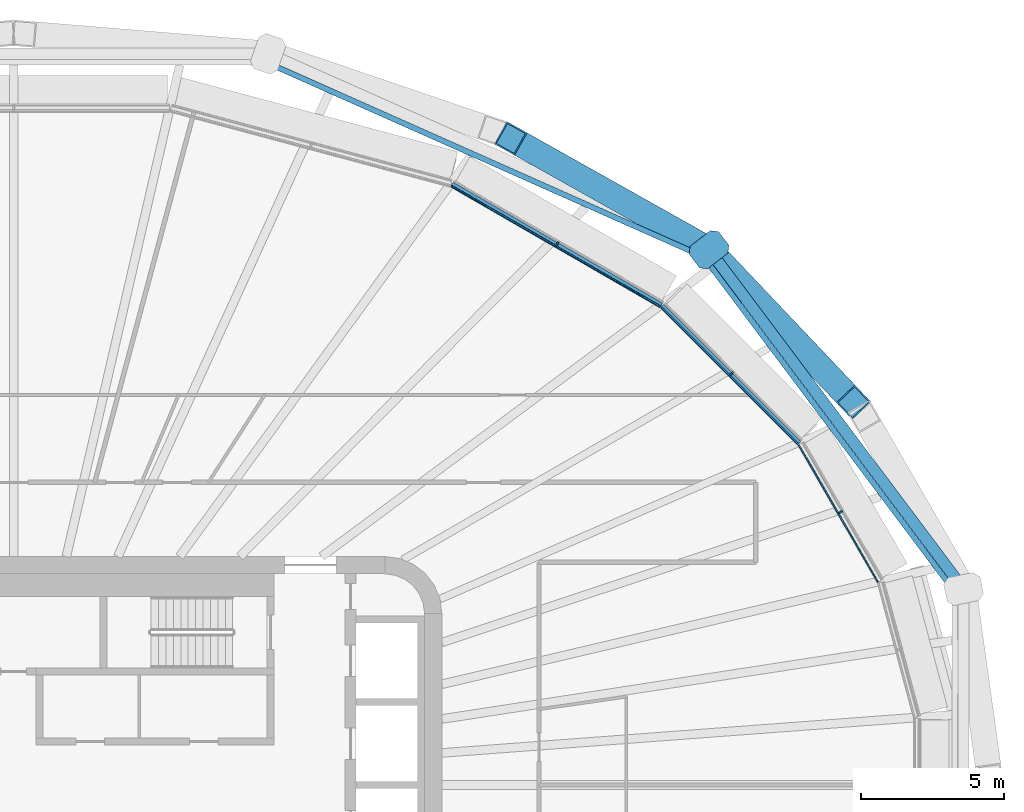
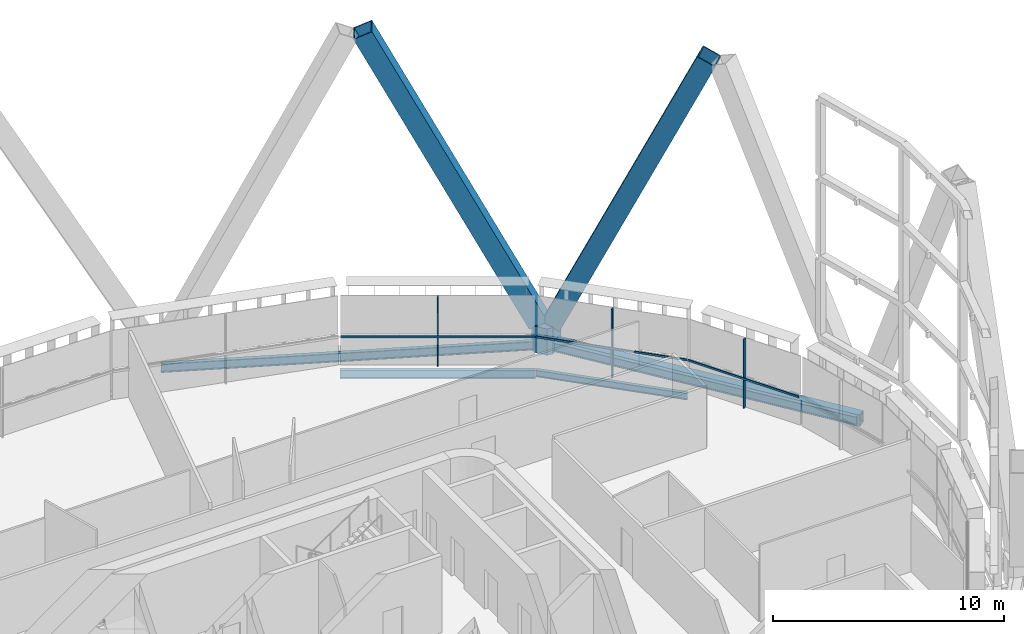
# One storey, part 10 of 26: 9 members, 5 beams, 3 elements without a shape of their own.
"""IFC4 building model written with IfcOpenShell, lengths in metres."""

import ifcopenshell
import ifcopenshell.guid

model = None  # the IFC model being written
_history = None  # IfcOwnerHistory: only IFC2X3 demands one
_inside = {}  # id of a spatial element -> (the spatial element, [elements in it])
_under = {}  # id of a project, library or spatial element -> (it, [spatial elements below it])
_declared = {}  # id of a project -> (the project, [libraries it declares])
_typed = {}  # id of a type object -> (the type object, [elements of that type])
_made_of = {}  # id of a material, layer set ... -> (it, [elements and type objects made of it])


def new_model(schema):
    """Start an empty IFC model of exactly this schema.

    Asked for "IFC4X3", IfcOpenShell would pick the latest addendum, in which some entities
    have other attributes; the version numbers below select the first issue.
    IFC2X3 requires an IfcOwnerHistory on every rooted entity: one is made here for all.
    """
    global model, _history
    if schema == "IFC4X3":
        model = ifcopenshell.file(schema_version=(4, 3, 0, 0))
    else:
        model = ifcopenshell.file(schema=schema)
    _inside.clear()
    _under.clear()
    _declared.clear()
    _typed.clear()
    _made_of.clear()
    _history = None
    if model.schema == "IFC2X3":
        org = make("IfcOrganization", Name="unknown")
        user = make(
            "IfcPersonAndOrganization",
            ThePerson=make("IfcPerson", FamilyName="unknown"),
            TheOrganization=org,
        )
        app = make(
            "IfcApplication",
            ApplicationDeveloper=org,
            Version="unknown",
            ApplicationFullName="unknown",
            ApplicationIdentifier="unknown",
        )
        _history = make(
            "IfcOwnerHistory",
            OwningUser=user,
            OwningApplication=app,
            ChangeAction="ADDED",
            CreationDate=0,
        )
    return model


def make(cls, **values):
    """One entity of the class cls with the attributes given. An attribute that is None is left unset."""
    return model.create_entity(
        cls, **{name: value for name, value in values.items() if value is not None}
    )


def rooted(cls, **values):
    """An entity with a GlobalId (a new one), such as an element, a storey or a relation."""
    return make(cls, GlobalId=ifcopenshell.guid.new(), OwnerHistory=_history, **values)


def si_unit(unit_type, name, prefix=None):
    """IfcSIUnit, for example si_unit("LENGTHUNIT", "METRE", prefix="MILLI")."""
    return make("IfcSIUnit", UnitType=unit_type, Prefix=prefix, Name=name)


def assignment(units):
    """IfcUnitAssignment: the units of a project."""
    return None if units is None else make("IfcUnitAssignment", Units=units)


def point(xyz):
    """IfcCartesianPoint."""
    return None if xyz is None else make("IfcCartesianPoint", Coordinates=xyz)


def direction(xyz):
    """IfcDirection."""
    return None if xyz is None else make("IfcDirection", DirectionRatios=xyz)


def frame(location, z_axis=None, x_axis=None):
    """IfcAxis2Placement3D, a coordinate frame: its origin and axes. An axis left out is left unset."""
    return make(
        "IfcAxis2Placement3D",
        Location=point(location),
        Axis=direction(z_axis),
        RefDirection=direction(x_axis),
    )


def frame_2d(location, x_axis=None):
    """IfcAxis2Placement2D, a coordinate frame in the plane: its origin and x axis."""
    return make(
        "IfcAxis2Placement2D", Location=point(location), RefDirection=direction(x_axis)
    )


def origin():
    """The frame at (0, 0, 0) with its axes left unset."""
    return frame((0.0, 0.0, 0.0))


def origin_2d():
    """The frame at (0, 0) in the plane with its x axis left unset."""
    return frame_2d((0.0, 0.0))


def place(relative_to, where):
    """IfcLocalPlacement: puts the frame where relative to a parent placement (None: the world)."""
    return make(
        "IfcLocalPlacement", PlacementRelTo=relative_to, RelativePlacement=where
    )


def context(
    kind, dimensions, precision=None, world=None, true_north=None, identifier=None
):
    """IfcGeometricRepresentationContext, for example the 3D "Model" context."""
    return make(
        "IfcGeometricRepresentationContext",
        ContextIdentifier=identifier,
        ContextType=kind,
        CoordinateSpaceDimension=dimensions,
        Precision=precision,
        WorldCoordinateSystem=world,
        TrueNorth=true_north,
    )


def subcontext(parent, identifier, kind, view, scale=None):
    """IfcGeometricRepresentationSubContext, for example "Body" below "Model"."""
    return make(
        "IfcGeometricRepresentationSubContext",
        ContextIdentifier=identifier,
        ContextType=kind,
        ParentContext=parent,
        TargetScale=scale,
        TargetView=view,
    )


def project(units=None, contexts=None):
    """IfcProject with its units and contexts."""
    return rooted(
        "IfcProject",
        Name="project",
        RepresentationContexts=contexts,
        UnitsInContext=assignment(units),
    )


def spatial(cls, under=None, at=None, **own):
    """A site, building, storey or space (cls), placed at a placement, below another one or the project."""
    s = rooted(cls, ObjectPlacement=at, **own)
    if under is not None:
        _under.setdefault(under.id(), (under, []))[1].append(s)
    return s


def polyline(points):
    """IfcPolyline through the points."""
    return make("IfcPolyline", Points=[point(p) for p in points])


def profile(cls, at=None, kind="AREA", **sizes):
    """A parametric profile (cls). Its sizes go by their IFC names, for example OverallWidth=200.0."""
    return make(cls, ProfileType=kind, Position=at, **sizes)


def rectangle(**sizes):
    """IfcRectangleProfileDef."""
    return profile("IfcRectangleProfileDef", **sizes)


def hollow_rectangle(**sizes):
    """IfcRectangleHollowProfileDef."""
    return profile("IfcRectangleHollowProfileDef", **sizes)


def i_section(**sizes):
    """IfcIShapeProfileDef."""
    return profile("IfcIShapeProfileDef", **sizes)


def outline(outer, holes=None, kind="AREA"):
    """IfcArbitraryClosedProfileDef: a profile drawn as a closed curve; with holes, ...WithVoids."""
    if holes is None:
        return make("IfcArbitraryClosedProfileDef", ProfileType=kind, OuterCurve=outer)
    return make(
        "IfcArbitraryProfileDefWithVoids",
        ProfileType=kind,
        OuterCurve=outer,
        InnerCurves=holes,
    )


def extrude(swept, where, along, depth):
    """IfcExtrudedAreaSolid: the profile swept, set in the frame where, extruded along a direction by depth."""
    return make(
        "IfcExtrudedAreaSolid",
        SweptArea=swept,
        Position=where,
        ExtrudedDirection=direction(along),
        Depth=depth,
    )


def shape(context_of_items, identifier, shape_type, items):
    """IfcShapeRepresentation: the items that make up one representation, for example the "Body"."""
    return make(
        "IfcShapeRepresentation",
        ContextOfItems=context_of_items,
        RepresentationIdentifier=identifier,
        RepresentationType=shape_type,
        Items=items,
    )


def material(Name=None, Category=None):
    """IfcMaterial."""
    return make("IfcMaterial", Name=Name, Category=Category)


def layer(
    of_material, thickness, ventilated=None, Name=None, Category=None, Priority=None
):
    """IfcMaterialLayer: one layer of a wall or slab, of a material (None: an air gap)."""
    return make(
        "IfcMaterialLayer",
        Material=of_material,
        LayerThickness=thickness,
        IsVentilated=ventilated,
        Name=Name,
        Category=Category,
        Priority=Priority,
    )


def layer_set(layers, Name=None):
    """IfcMaterialLayerSet."""
    return make("IfcMaterialLayerSet", MaterialLayers=layers, LayerSetName=Name)


def material_profile(
    of_material, cross_section, Name=None, Category=None, Priority=None
):
    """IfcMaterialProfile: a cross section and its material."""
    return make(
        "IfcMaterialProfile",
        Name=Name,
        Material=of_material,
        Profile=cross_section,
        Priority=Priority,
        Category=Category,
    )


def profile_set(profiles, Name=None, composite=None):
    """IfcMaterialProfileSet."""
    return make(
        "IfcMaterialProfileSet",
        Name=Name,
        MaterialProfiles=profiles,
        CompositeProfile=composite,
    )


def made_of(thing, what):
    """Note that an element or type object is made of a material, layer set ...; save() writes the relation."""
    if what is not None:
        _made_of.setdefault(what.id(), (what, []))[1].append(thing)
    return thing


def type_object(cls, material=None, **own):
    """A type object (cls), such as IfcWallType, which elements share."""
    return made_of(rooted(cls, **own), material)


def element(
    cls,
    number,
    at=None,
    inside=None,
    cuts=None,
    type_object=None,
    material=None,
    context=None,
    identifier="Body",
    shape_type=None,
    held_by="IfcProductDefinitionShape",
    body=None,
    shapes=None,
    **own,
):
    """One element of the class cls, such as IfcWall. Its Tag is "e" and its number.

    at: its placement. inside: the storey or other place that contains it. cuts: it is an
    opening in that element (IfcRelVoidsElement). A single representation is given by context,
    identifier, shape_type and body (its items); several are given by shapes. held_by: the class
    of the entity that holds the representations. save() writes the other relations.
    """
    e = rooted(cls, Tag="e%d" % number, ObjectPlacement=at, **own)
    if body is not None:
        shapes = [shape(context, identifier, shape_type, body)]
    if shapes is not None:
        e.Representation = make(held_by, Representations=shapes)
    if inside is not None:
        _inside.setdefault(inside.id(), (inside, []))[1].append(e)
    if cuts is not None:
        rooted(
            "IfcRelVoidsElement", RelatingBuildingElement=cuts, RelatedOpeningElement=e
        )
    if type_object is not None:
        _typed.setdefault(type_object.id(), (type_object, []))[1].append(e)
    return made_of(e, material)


def aggregate(whole, parts):
    """IfcRelAggregates: a whole, such as a stair, and the parts it consists of."""
    return rooted("IfcRelAggregates", RelatingObject=whole, RelatedObjects=parts)


def save(model, path):
    """Write the relations noted so far, then the file.

    IfcRelAggregates (storeys below a building ...), IfcRelContainedInSpatialStructure (elements
    in a storey), IfcRelDefinesByType, IfcRelAssociatesMaterial and IfcRelDeclares: one each for
    every whole, place, type object, material and project.
    """
    for whole, parts in _under.values():
        aggregate(whole, parts)
    for where, things in _inside.values():
        rooted(
            "IfcRelContainedInSpatialStructure",
            RelatedElements=things,
            RelatingStructure=where,
        )
    for kind, things in _typed.values():
        rooted("IfcRelDefinesByType", RelatedObjects=things, RelatingType=kind)
    for what, things in _made_of.values():
        rooted("IfcRelAssociatesMaterial", RelatedObjects=things, RelatingMaterial=what)
    for by, libraries in _declared.values():
        rooted("IfcRelDeclares", RelatingContext=by, RelatedDefinitions=libraries)
    model.write(path)


model = new_model("IFC4")

# Units and contexts
model_context = context("Model", 3, precision=1e-05, world=origin(), true_north=direction((0.0, 1.0)))
body_context = subcontext(model_context, "Body", "Model", "MODEL_VIEW")
ifc_project = project(units=[si_unit("LENGTHUNIT", "METRE"), si_unit("AREAUNIT", "SQUARE_METRE"), si_unit("VOLUMEUNIT", "CUBIC_METRE"), si_unit("PLANEANGLEUNIT", "RADIAN"), si_unit("MASSUNIT", "GRAM", prefix="KILO")], contexts=[model_context])

# Site, building, storey
site_placement = place(None, origin())
site = spatial("IfcSite", under=ifc_project, at=site_placement, CompositionType="ELEMENT")
building_placement = place(site_placement, origin())
building = spatial("IfcBuilding", under=site, at=building_placement, Name="Sahrelin Media Tower", CompositionType="ELEMENT")
storey_placement = place(building_placement, frame((0.0, 0.0, 131.39990234375)))
storey = spatial("IfcBuildingStorey", under=building, at=storey_placement, Name="L26", CompositionType="ELEMENT", Elevation=131.39990234375)

# Members
ifc_material_1 = material(Name="Steel S460", Category="steel")
ifc_material_profile_1 = material_profile(ifc_material_1, hollow_rectangle(XDim=0.89990234375, YDim=0.89990234375, WallThickness=0.050048828125, at=origin_2d()), Name="Diagrid diagonal DG3")
ifc_profile_set_1 = profile_set([ifc_material_profile_1], Name="Steel S460")
member_type_1 = type_object("IfcMemberType", Name="Diagrid diagonal DG3", PredefinedType="BRACE", material=ifc_profile_set_1)
member_1_placement = place(storey_placement, frame((24.57861328125, 18.516357421875, 0.7001953125), z_axis=(0.28605931744, -0.301832156171, 0.909432469404), x_axis=(0.725816925238, 0.687887920404, 0.0)))
element("IfcMember", 1, at=member_1_placement, inside=storey, type_object=member_type_1, Name="Diagrid diagonal D05-02", PredefinedType="BRACE", context=body_context, shape_type="SweptSolid", body=[
    extrude(hollow_rectangle(XDim=0.89990234375, YDim=0.89990234375, WallThickness=0.050048828125, at=origin_2d()), origin(), (0.0, 0.0, 1.0), 16.93359375),
])
member_2_placement = place(storey_placement, frame((24.056640625, 18.918212890625, 0.7001953125), z_axis=(-0.386530667457, 0.217011390542, 0.896381670657), x_axis=(-0.489554855543, -0.871972501524, 0.0)))
element("IfcMember", 2, at=member_2_placement, inside=storey, type_object=member_type_1, Name="Diagrid diagonal D05-03", PredefinedType="BRACE", context=body_context, shape_type="SweptSolid", body=[
    extrude(hollow_rectangle(XDim=0.89990234375, YDim=0.89990234375, WallThickness=0.050048828125, at=origin_2d()), origin(), (0.0, 0.0, 1.0), 17.18017578125),
])
ifc_material_profile_2 = material_profile(ifc_material_1, outline(polyline([(0.449951171875, -0.5), (0.64990234375, -0.300048828125), (0.64990234375, 0.300048828125), (0.449951171875, 0.5), (-0.449951171875, 0.5), (-0.64990234375, 0.300048828125), (-0.64990234375, -0.300048828125), (-0.449951171875, -0.5), (0.449951171875, -0.5)])), Name="Diagrid node block 1300")
ifc_profile_set_2 = profile_set([ifc_material_profile_2], Name="Steel S460")
member_type_2 = type_object("IfcMemberType", Name="Diagrid node block 1300", PredefinedType="USERDEFINED", material=ifc_profile_set_2)
member_3_placement = place(storey_placement, frame((24.3583984375, 18.748779296875, -0.699951171875), z_axis=(0.0, 0.0, 1.0), x_axis=(0.792445093645, 0.609943254376, 0.0)))
element("IfcMember", 3, at=member_3_placement, inside=storey, type_object=member_type_2, Name="Diagrid node N05-01", ObjectType="NODE", PredefinedType="USERDEFINED", context=body_context, shape_type="SweptSolid", body=[
    extrude(outline(polyline([(0.449951171875, -0.5), (0.64990234375, -0.300048828125), (0.64990234375, 0.300048828125), (0.449951171875, 0.5), (-0.449951171875, 0.5), (-0.64990234375, 0.300048828125), (-0.64990234375, -0.300048828125), (-0.449951171875, -0.5), (0.449951171875, -0.5)])), origin(), (0.0, 0.0, 1.0), 1.400146484375),
])

# Beams
ifc_material_profile_3 = material_profile(ifc_material_1, hollow_rectangle(XDim=0.39990234375, YDim=0.60009765625, WallThickness=0.030029296875, at=origin_2d()), Name="Diagrid ring beam RB1")
ifc_profile_set_3 = profile_set([ifc_material_profile_3], Name="Steel S460")
beam_type_1 = type_object("IfcBeamType", Name="Diagrid ring beam RB1", PredefinedType="BEAM", material=ifc_profile_set_3)
beam_1_placement = place(storey_placement, frame((33.2744140625, 6.862548828125, -0.449951171875), z_axis=(-0.600057835332, 0.799956620234, 0.0), x_axis=(-0.799956620234, -0.600057835332, 0.0)))
element("IfcBeam", 4, at=beam_1_placement, inside=storey, type_object=beam_type_1, Name="Diagrid ring beam RB05-00", PredefinedType="BEAM", context=body_context, shape_type="SweptSolid", body=[
    extrude(hollow_rectangle(XDim=0.39990234375, YDim=0.60009765625, WallThickness=0.030029296875, at=origin_2d()), origin(), (0.0, 0.0, 1.0), 14.858642578125),
])
ifc_material_2 = material(Name="Steel S355", Category="steel")
ifc_material_profile_4 = material_profile(ifc_material_2, i_section(OverallWidth=0.17138671875, OverallDepth=0.35498046875, WebThickness=0.00732421875, FlangeThickness=0.011474609375, FilletRadius=0.01025390625, at=origin_2d()), Name="UB 356x171x51")
ifc_profile_set_4 = profile_set([ifc_material_profile_4], Name="Steel S355")
beam_type_2 = type_object("IfcBeamType", Name="Edge beam EB3", PredefinedType="BEAM", material=ifc_profile_set_4)
beam_2_placement = place(storey_placement, frame((22.711181640625, 16.772216796875, -0.327392578125), z_axis=(0.707106781187, -0.707106781187, 0.0), x_axis=(0.707106781187, 0.707106781187, 0.0)))
element("IfcBeam", 5, at=beam_2_placement, inside=storey, type_object=beam_type_2, Name="Edge beam L26-22", PredefinedType="BEAM", context=body_context, shape_type="SweptSolid", body=[
    extrude(i_section(OverallWidth=0.17138671875, OverallDepth=0.35498046875, WebThickness=0.00732421875, FlangeThickness=0.011474609375, FilletRadius=0.01025390625, at=origin_2d()), origin(), (0.0, 0.0, 1.0), 6.789794921875),
])
ifc_material_profile_5 = material_profile(ifc_material_2, i_section(OverallWidth=0.1904296875, OverallDepth=0.45703125, WebThickness=0.009033203125, FlangeThickness=0.014404296875, FilletRadius=0.01025390625, at=origin_2d()), Name="UB 457x191x74")
ifc_profile_set_5 = profile_set([ifc_material_profile_5], Name="Steel S355")
beam_type_3 = type_object("IfcBeamType", Name="Edge beam EB5", PredefinedType="BEAM", material=ifc_profile_set_5)
beam_3_placement = place(storey_placement, frame((15.345703125, 21.029296875, -0.37841796875), z_axis=(0.866017756825, -0.500013244689, 0.0), x_axis=(0.500013244689, 0.866017756825, 0.0)))
element("IfcBeam", 6, at=beam_3_placement, inside=storey, type_object=beam_type_3, Name="Edge beam L26-21", PredefinedType="BEAM", context=body_context, shape_type="SweptSolid", body=[
    extrude(i_section(OverallWidth=0.1904296875, OverallDepth=0.45703125, WebThickness=0.009033203125, FlangeThickness=0.014404296875, FilletRadius=0.01025390625, at=origin_2d()), origin(), (0.0, 0.0, 1.0), 8.478759765625),
])

# Curtain wall, member
ifc_material_3 = material(Name="Champagne anodised aluminium 6063-T6", Category="aluminium")
ifc_layer = layer(ifc_material_3, 0.14990234375)
ifc_layer_set = layer_set([ifc_layer], Name="Tower ribbon curtain wall")
curtain_wall_type = type_object("IfcCurtainWallType", Name="Tower ribbon curtain wall", PredefinedType="NOTDEFINED", material=ifc_layer_set)
curtain_wall_1_placement = place(storey_placement, frame((29.053955078125, 9.608642578125, 0.0), z_axis=(0.0, 0.0, 1.0), x_axis=(1.0, 0.0, 0.0)))
curtain_wall_1 = element("IfcCurtainWall", 7, at=curtain_wall_1_placement, inside=storey, type_object=curtain_wall_type, Name="L26:CW:L26-02", PredefinedType="NOTDEFINED")
ifc_material_profile_6 = material_profile(ifc_material_3, rectangle(XDim=0.06005859375, YDim=0.14990234375, at=origin_2d()), Name="Mullion 60x150")
ifc_profile_set_6 = profile_set([ifc_material_profile_6], Name="Champagne anodised aluminium 6063-T6")
member_type_3 = type_object("IfcMemberType", Name="Mullion 60x150 CW1", PredefinedType="MULLION", material=ifc_profile_set_6)
member_4_placement = place(storey_placement, frame((28.9716796875, 9.56103515625, 0.0), z_axis=(0.0, 0.0, 1.0), x_axis=(-0.500006045986, 0.866021913105, 0.0)))
member_4 = element("IfcMember", 8, at=member_4_placement, type_object=member_type_3, Name="L26:CWM:L26-02", PredefinedType="MULLION", context=body_context, shape_type="SweptSolid", body=[
    extrude(rectangle(XDim=0.06005859375, YDim=0.14990234375, at=origin_2d()), origin(), (0.0, 0.0, 1.0), 3.648681640625),
])

curtain_wall_2_placement = place(storey_placement, frame((25.2177734375, 14.477783203125, 0.0), z_axis=(0.0, 0.0, 1.0), x_axis=(1.0, 0.0, 0.0)))
curtain_wall_2 = element("IfcCurtainWall", 9, at=curtain_wall_2_placement, inside=storey, type_object=curtain_wall_type, Name="L26:CW:L26-03", PredefinedType="NOTDEFINED")
member_5_placement = place(storey_placement, frame((25.150634765625, 14.41064453125, 0.0), z_axis=(0.0, 0.0, 1.0), x_axis=(-0.707099376343, 0.707114185953, 0.0)))
member_5 = element("IfcMember", 10, at=member_5_placement, type_object=member_type_3, Name="L26:CWM:L26-03", PredefinedType="MULLION", context=body_context, shape_type="SweptSolid", body=[
    extrude(rectangle(XDim=0.06005859375, YDim=0.14990234375, at=origin_2d()), origin(), (0.0, 0.0, 1.0), 3.648681640625),
])

curtain_wall_3_placement = place(storey_placement, frame((19.092041015625, 19.039306640625, 0.0), z_axis=(0.0, 0.0, 1.0), x_axis=(1.0, 0.0, 0.0)))
curtain_wall_3 = element("IfcCurtainWall", 11, at=curtain_wall_3_placement, inside=storey, type_object=curtain_wall_type, Name="L26:CW:L26-04", PredefinedType="NOTDEFINED")
member_6_placement = place(storey_placement, frame((19.04443359375, 18.95703125, 0.0), z_axis=(0.0, 0.0, 1.0), x_axis=(-0.866028894422, 0.49999395399, 0.0)))
member_6 = element("IfcMember", 12, at=member_6_placement, type_object=member_type_3, Name="L26:CWM:L26-04", PredefinedType="MULLION", context=body_context, shape_type="SweptSolid", body=[
    extrude(rectangle(XDim=0.06005859375, YDim=0.14990234375, at=origin_2d()), origin(), (0.0, 0.0, 1.0), 3.648681640625),
])

# Beams
ifc_material_profile_7 = material_profile(ifc_material_2, i_section(OverallWidth=0.1904296875, OverallDepth=0.45703125, WebThickness=0.009033203125, FlangeThickness=0.014404296875, FilletRadius=0.01025390625, at=origin_2d()), Name="UB 457x191x74")
ifc_profile_set_7 = profile_set([ifc_material_profile_7], Name="Steel S355")
beam_type_4 = type_object("IfcBeamType", Name="Tie chord TC5", PredefinedType="BEAM", material=ifc_profile_set_7)
beam_4_placement = place(storey_placement, frame((8.85205078125, 25.31103515625, -0.37841796875), z_axis=(0.913832575306, -0.406091152711, 0.0), x_axis=(0.406091152711, 0.913832575306, 0.0)))
element("IfcBeam", 13, at=beam_4_placement, inside=storey, type_object=beam_type_4, Name="Tie chord L26-11", PredefinedType="BEAM", context=body_context, shape_type="SweptSolid", body=[
    extrude(i_section(OverallWidth=0.1904296875, OverallDepth=0.45703125, WebThickness=0.009033203125, FlangeThickness=0.014404296875, FilletRadius=0.01025390625, at=origin_2d()), origin(), (0.0, 0.0, 1.0), 16.757080078125),
])
beam_5_placement = place(storey_placement, frame((24.165283203125, 18.506103515625, -0.37841796875), z_axis=(0.60004789499, -0.799964076517, 0.0), x_axis=(0.799964076517, 0.60004789499, 0.0)))
element("IfcBeam", 14, at=beam_5_placement, inside=storey, type_object=beam_type_4, Name="Tie chord L26-12", PredefinedType="BEAM", context=body_context, shape_type="SweptSolid", body=[
    extrude(i_section(OverallWidth=0.1904296875, OverallDepth=0.45703125, WebThickness=0.009033203125, FlangeThickness=0.014404296875, FilletRadius=0.01025390625, at=origin_2d()), origin(), (0.0, 0.0, 1.0), 14.68017578125),
])

# Member
ifc_material_profile_8 = material_profile(ifc_material_3, rectangle(XDim=0.050048828125, YDim=0.10009765625, at=origin_2d()), Name="Transom 50x100")
ifc_profile_set_8 = profile_set([ifc_material_profile_8], Name="Champagne anodised aluminium 6063-T6")
member_type_4 = type_object("IfcMemberType", Name="Transom 50x100 CW1", PredefinedType="USERDEFINED", material=ifc_profile_set_8)
member_7_placement = place(storey_placement, frame((30.271240234375, 7.110107421875, 1.60009765625), z_axis=(-0.500003221507, 0.866023543838, 0.0), x_axis=(-0.866023543838, -0.500003221507, 0.0)))
member_7 = element("IfcMember", 15, at=member_7_placement, type_object=member_type_4, Name="L26:CWT:L26-02", ObjectType="TRANSOM", PredefinedType="USERDEFINED", context=body_context, shape_type="SweptSolid", body=[
    extrude(rectangle(XDim=0.050048828125, YDim=0.10009765625, at=origin_2d()), origin(), (0.0, 0.0, 1.0), 5.544921875),
])

aggregate(curtain_wall_1, [member_4, member_7])

member_8_placement = place(storey_placement, frame((27.469482421875, 11.950439453125, 1.60009765625), z_axis=(-0.707088719019, 0.707124842893, 0.0), x_axis=(-0.707124842893, -0.707088719019, 0.0)))
member_8 = element("IfcMember", 16, at=member_8_placement, type_object=member_type_4, Name="L26:CWT:L26-03", ObjectType="TRANSOM", PredefinedType="USERDEFINED", context=body_context, shape_type="SweptSolid", body=[
    extrude(rectangle(XDim=0.050048828125, YDim=0.10009765625, at=origin_2d()), origin(), (0.0, 0.0, 1.0), 6.758544921875),
])

aggregate(curtain_wall_2, [member_5, member_8])

member_9_placement = place(storey_placement, frame((22.65234375, 16.7587890625, 1.60009765625), z_axis=(-0.866029168372, 0.499993479487, 0.0), x_axis=(-0.499993479487, -0.866029168372, 0.0)))
member_9 = element("IfcMember", 17, at=member_9_placement, type_object=member_type_4, Name="L26:CWT:L26-04", ObjectType="TRANSOM", PredefinedType="USERDEFINED", context=body_context, shape_type="SweptSolid", body=[
    extrude(rectangle(XDim=0.050048828125, YDim=0.10009765625, at=origin_2d()), origin(), (0.0, 0.0, 1.0), 8.447265625),
])

aggregate(curtain_wall_3, [member_6, member_9])

save(model, "model.ifc")
